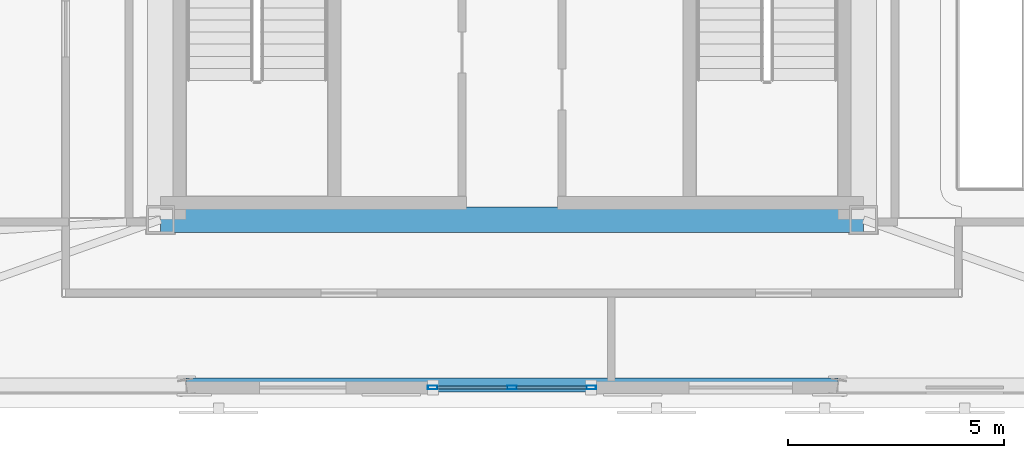
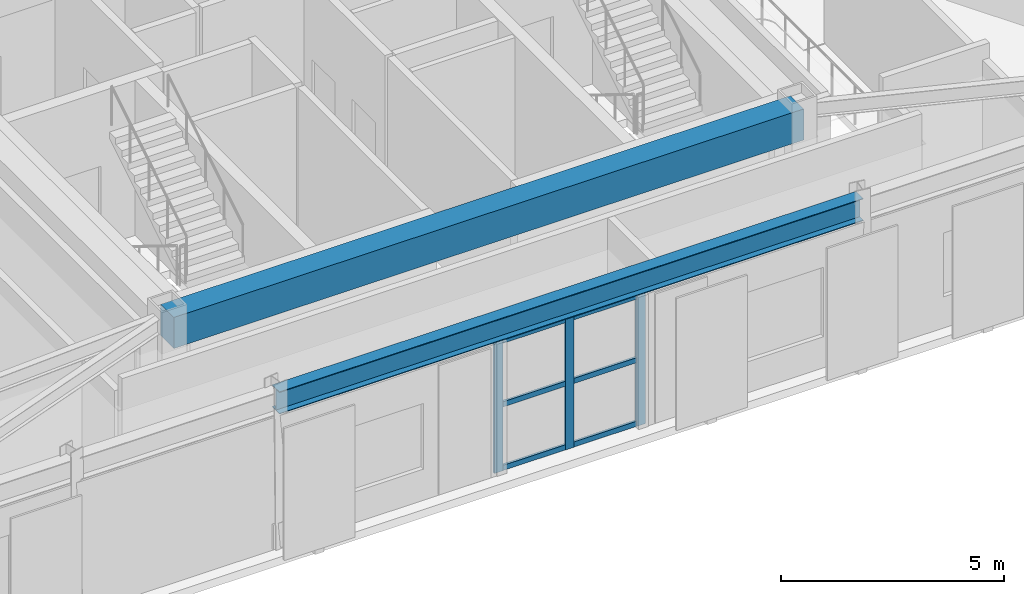
# One storey, part 2 of 14: 9 members, 2 beams, 1 element without a shape of its own.
"""IFC4 building model written with IfcOpenShell, lengths in metres."""

from ifc_helpers import new_model, si_unit, direction, frame, origin, origin_2d, place, context, subcontext, project, spatial, rectangle, hollow_rectangle, i_section, extrude, material, layer, layer_set, material_profile, profile_set, type_object, element, aggregate, save


model = new_model("IFC4")

# Units and contexts
model_context = context("Model", 3, precision=1e-05, world=origin(), true_north=direction((0.0, 1.0)))
body_context = subcontext(model_context, "Body", "Model", "MODEL_VIEW")
ifc_project = project(units=[si_unit("LENGTHUNIT", "METRE"), si_unit("AREAUNIT", "SQUARE_METRE"), si_unit("VOLUMEUNIT", "CUBIC_METRE"), si_unit("PLANEANGLEUNIT", "RADIAN"), si_unit("MASSUNIT", "GRAM", prefix="KILO")], contexts=[model_context])

# Site, building, storey
site_placement = place(None, origin())
site = spatial("IfcSite", under=ifc_project, at=site_placement, CompositionType="ELEMENT")
building_placement = place(site_placement, origin())
building = spatial("IfcBuilding", under=site, at=building_placement, Name="Oramaril Tower", CompositionType="ELEMENT")
storey_placement = place(building_placement, frame((0.0, 0.0, 309.60009765625)))
storey = spatial("IfcBuildingStorey", under=building, at=storey_placement, Name="L81", CompositionType="ELEMENT", Elevation=309.60009765625)

# Beams
ifc_material_1 = material(Name="Concrete C50/60", Category="concrete")
ifc_material_profile_1 = material_profile(ifc_material_1, rectangle(XDim=0.60009765625, YDim=0.85009765625, at=origin_2d()), Name="CB600X850")
ifc_profile_set_1 = profile_set([ifc_material_profile_1], Name="Concrete C50/60")
beam_type_1 = type_object("IfcBeamType", Name="BT-CB2", PredefinedType="BEAM", material=ifc_profile_set_1)
beam_1_placement = place(storey_placement, frame((29.35009765625, 11.0, 3.81494140625), z_axis=(1.0, 0.0, 0.0), x_axis=(0.0, 1.0, 0.0)))
element("IfcBeam", 1, at=beam_1_placement, inside=storey, type_object=beam_type_1, Name="L81 Core Header Beam CB-1", PredefinedType="BEAM", context=body_context, shape_type="SweptSolid", body=[
    extrude(rectangle(XDim=0.60009765625, YDim=0.85009765625, at=origin_2d()), origin(), (0.0, 0.0, 1.0), 16.2998046875),
])
ifc_material_2 = material(Name="Steel ASTM A572 Gr 50", Category="steel")
ifc_material_profile_2 = material_profile(ifc_material_2, i_section(OverallWidth=0.324951171875, OverallDepth=0.612060546875, WebThickness=0.0126953125, FlangeThickness=0.01904296875, at=origin_2d()), Name="W24X104")
ifc_profile_set_2 = profile_set([ifc_material_profile_2], Name="Steel ASTM A572 Gr 50")
beam_type_2 = type_object("IfcBeamType", Name="BT-SP5", PredefinedType="SPANDREL", material=ifc_profile_set_2)
beam_2_placement = place(storey_placement, frame((29.943115234375, 7.164306640625, 3.933837890625), z_axis=(1.0, 0.0, 0.0), x_axis=(0.0, 1.0, 0.0)))
element("IfcBeam", 2, at=beam_2_placement, inside=storey, type_object=beam_type_2, Name="L81 Perimeter Spandrel 04", PredefinedType="SPANDREL", context=body_context, shape_type="SweptSolid", body=[
    extrude(i_section(OverallWidth=0.324951171875, OverallDepth=0.612060546875, WebThickness=0.0126953125, FlangeThickness=0.01904296875, at=origin_2d()), origin(), (0.0, 0.0, 1.0), 15.11376953125),
])

# Curtain wall, members
ifc_material_3 = material(Name="Anodised Aluminium 6063-T6", Category="aluminium")
ifc_layer = layer(ifc_material_3, 0.219970703125)
ifc_layer_set = layer_set([ifc_layer], Name="CWT-SYS6")
curtain_wall_type = type_object("IfcCurtainWallType", Name="CWT-SYS6", PredefinedType="NOTDEFINED", material=ifc_layer_set)
curtain_wall_placement = place(storey_placement, origin())
curtain_wall = element("IfcCurtainWall", 3, at=curtain_wall_placement, inside=storey, type_object=curtain_wall_type, Name="L81 Unitised Curtain Wall CW-6", PredefinedType="NOTDEFINED")
ifc_material_4 = material(Name="Anodised Aluminium 6063-T6", Category="aluminium")
ifc_material_profile_3 = material_profile(ifc_material_4, hollow_rectangle(XDim=0.080078125, YDim=0.219970703125, WallThickness=0.00390625, at=origin_2d()), Name="CWM220X80")
ifc_profile_set_3 = profile_set([ifc_material_profile_3], Name="Anodised Aluminium 6063-T6")
member_type_1 = type_object("IfcMemberType", Name="MT-CWM1", PredefinedType="MULLION", material=ifc_profile_set_3)
member_1_placement = place(storey_placement, frame((35.659912109375, 7.109130859375, 0.0), z_axis=(0.0, 0.0, 1.0), x_axis=(0.0, 1.0, 0.0)))
member_1 = element("IfcMember", 4, at=member_1_placement, type_object=member_type_1, Name="CW-6 mullion 1", PredefinedType="MULLION", context=body_context, shape_type="SweptSolid", body=[
    extrude(hollow_rectangle(XDim=0.080078125, YDim=0.219970703125, WallThickness=0.00390625, at=origin_2d()), origin(), (0.0, 0.0, 1.0), 3.617919921875),
])
member_2_placement = place(storey_placement, frame((37.5, 7.109130859375, 0.0), z_axis=(0.0, 0.0, 1.0), x_axis=(0.0, 1.0, 0.0)))
member_2 = element("IfcMember", 5, at=member_2_placement, type_object=member_type_1, Name="CW-6 mullion 2", PredefinedType="MULLION", context=body_context, shape_type="SweptSolid", body=[
    extrude(hollow_rectangle(XDim=0.080078125, YDim=0.219970703125, WallThickness=0.00390625, at=origin_2d()), origin(), (0.0, 0.0, 1.0), 3.617919921875),
])
member_3_placement = place(storey_placement, frame((39.340087890625, 7.109130859375, 0.0), z_axis=(0.0, 0.0, 1.0), x_axis=(0.0, 1.0, 0.0)))
member_3 = element("IfcMember", 6, at=member_3_placement, type_object=member_type_1, Name="CW-6 mullion 3", PredefinedType="MULLION", context=body_context, shape_type="SweptSolid", body=[
    extrude(hollow_rectangle(XDim=0.080078125, YDim=0.219970703125, WallThickness=0.00390625, at=origin_2d()), origin(), (0.0, 0.0, 1.0), 3.617919921875),
])
ifc_material_5 = material(Name="Anodised Aluminium 6063-T6", Category="aluminium")
ifc_material_profile_4 = material_profile(ifc_material_5, hollow_rectangle(XDim=0.06494140625, YDim=0.139892578125, WallThickness=0.00390625, at=origin_2d()), Name="CWT140X65")
ifc_profile_set_4 = profile_set([ifc_material_profile_4], Name="Anodised Aluminium 6063-T6")
member_type_2 = type_object("IfcMemberType", Name="MT-CWT2", PredefinedType="USERDEFINED", material=ifc_profile_set_4)
member_4_placement = place(storey_placement, frame((35.77001953125, 7.109130859375, 0.06982421875), z_axis=(1.0, 0.0, 0.0), x_axis=(0.0, 1.0, 0.0)))
member_4 = element("IfcMember", 7, at=member_4_placement, type_object=member_type_2, Name="CW-6 transom 1.1", ObjectType="TRANSOM", PredefinedType="USERDEFINED", context=body_context, shape_type="SweptSolid", body=[
    extrude(hollow_rectangle(XDim=0.06494140625, YDim=0.139892578125, WallThickness=0.00390625, at=origin_2d()), origin(), (0.0, 0.0, 1.0), 1.619873046875),
])
member_5_placement = place(storey_placement, frame((35.77001953125, 7.109130859375, 1.808837890625), z_axis=(1.0, 0.0, 0.0), x_axis=(0.0, 1.0, 0.0)))
member_5 = element("IfcMember", 8, at=member_5_placement, type_object=member_type_2, Name="CW-6 transom 1.2", ObjectType="TRANSOM", PredefinedType="USERDEFINED", context=body_context, shape_type="SweptSolid", body=[
    extrude(hollow_rectangle(XDim=0.06494140625, YDim=0.139892578125, WallThickness=0.00390625, at=origin_2d()), origin(), (0.0, 0.0, 1.0), 1.619873046875),
])
member_6_placement = place(storey_placement, frame((35.77001953125, 7.109130859375, 3.5478515625), z_axis=(1.0, 0.0, 0.0), x_axis=(0.0, 1.0, 0.0)))
member_6 = element("IfcMember", 9, at=member_6_placement, type_object=member_type_2, Name="CW-6 transom 1.3", ObjectType="TRANSOM", PredefinedType="USERDEFINED", context=body_context, shape_type="SweptSolid", body=[
    extrude(hollow_rectangle(XDim=0.06494140625, YDim=0.139892578125, WallThickness=0.00390625, at=origin_2d()), origin(), (0.0, 0.0, 1.0), 1.619873046875),
])
member_7_placement = place(storey_placement, frame((37.610107421875, 7.109130859375, 0.06982421875), z_axis=(1.0, 0.0, 0.0), x_axis=(0.0, 1.0, 0.0)))
member_7 = element("IfcMember", 10, at=member_7_placement, type_object=member_type_2, Name="CW-6 transom 2.1", ObjectType="TRANSOM", PredefinedType="USERDEFINED", context=body_context, shape_type="SweptSolid", body=[
    extrude(hollow_rectangle(XDim=0.06494140625, YDim=0.139892578125, WallThickness=0.00390625, at=origin_2d()), origin(), (0.0, 0.0, 1.0), 1.619873046875),
])
member_8_placement = place(storey_placement, frame((37.610107421875, 7.109130859375, 1.808837890625), z_axis=(1.0, 0.0, 0.0), x_axis=(0.0, 1.0, 0.0)))
member_8 = element("IfcMember", 11, at=member_8_placement, type_object=member_type_2, Name="CW-6 transom 2.2", ObjectType="TRANSOM", PredefinedType="USERDEFINED", context=body_context, shape_type="SweptSolid", body=[
    extrude(hollow_rectangle(XDim=0.06494140625, YDim=0.139892578125, WallThickness=0.00390625, at=origin_2d()), origin(), (0.0, 0.0, 1.0), 1.619873046875),
])
member_9_placement = place(storey_placement, frame((37.610107421875, 7.109130859375, 3.5478515625), z_axis=(1.0, 0.0, 0.0), x_axis=(0.0, 1.0, 0.0)))
member_9 = element("IfcMember", 12, at=member_9_placement, type_object=member_type_2, Name="CW-6 transom 2.3", ObjectType="TRANSOM", PredefinedType="USERDEFINED", context=body_context, shape_type="SweptSolid", body=[
    extrude(hollow_rectangle(XDim=0.06494140625, YDim=0.139892578125, WallThickness=0.00390625, at=origin_2d()), origin(), (0.0, 0.0, 1.0), 1.619873046875),
])
aggregate(curtain_wall, [member_1, member_2, member_3, member_4, member_5, member_6, member_7, member_8, member_9])

save(model, "model.ifc")
